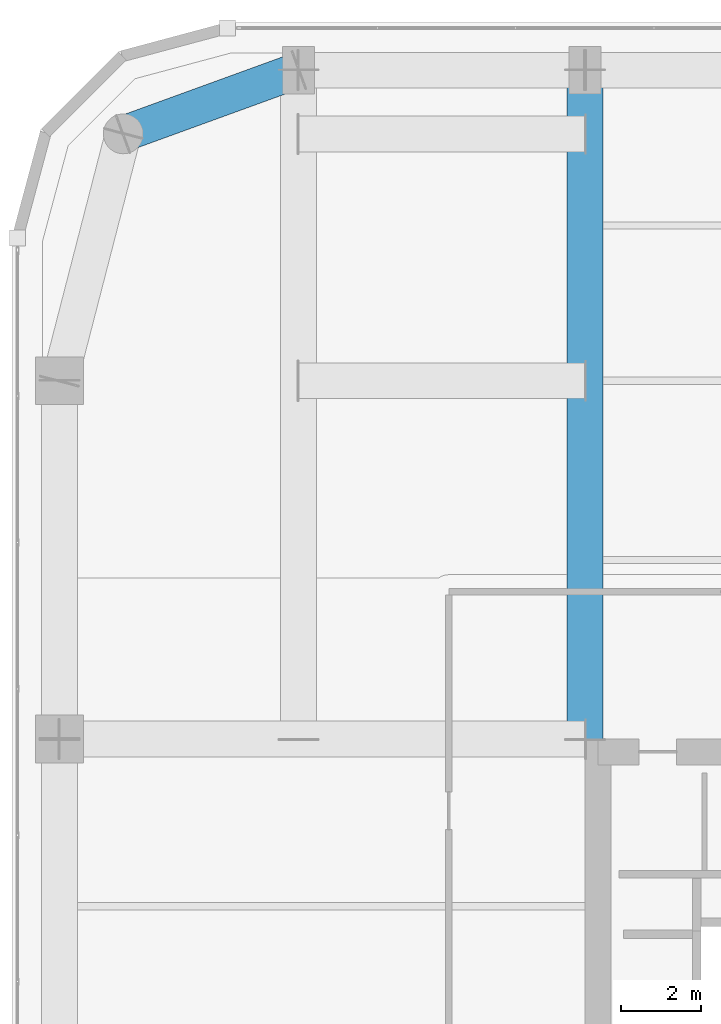
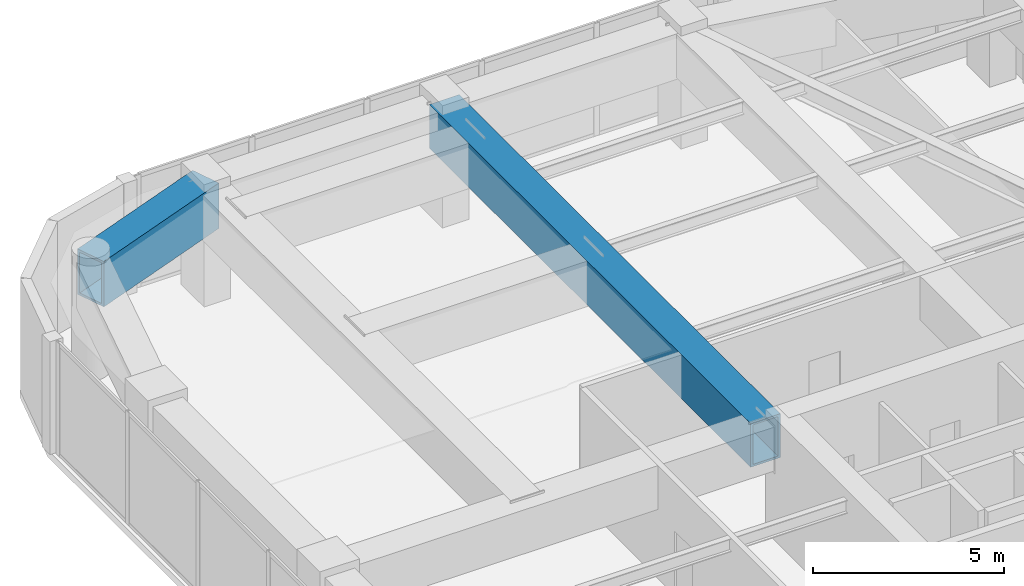
# One storey, part 16 of 30: 2 beams.
"""IFC4 building model written with IfcOpenShell, lengths in metres."""

from ifc_helpers import new_model, si_unit, direction, frame, origin, origin_2d, place, context, subcontext, project, spatial, hollow_rectangle, extrude, material, material_profile, profile_set, type_object, element, save


model = new_model("IFC4")

# Units and contexts
model_context = context("Model", 3, precision=1e-05, world=origin(), true_north=direction((0.0, 1.0)))
body_context = subcontext(model_context, "Body", "Model", "MODEL_VIEW")
ifc_project = project(units=[si_unit("LENGTHUNIT", "METRE"), si_unit("AREAUNIT", "SQUARE_METRE"), si_unit("VOLUMEUNIT", "CUBIC_METRE"), si_unit("PLANEANGLEUNIT", "RADIAN"), si_unit("MASSUNIT", "GRAM", prefix="KILO")], contexts=[model_context])

# Site, building, storey
site_placement = place(None, origin())
site = spatial("IfcSite", under=ifc_project, at=site_placement, CompositionType="ELEMENT")
building_placement = place(site_placement, origin())
building = spatial("IfcBuilding", under=site, at=building_placement, Name="Kiyonajd Concourse Tower", CompositionType="ELEMENT")
storey_placement = place(building_placement, frame((0.0, 0.0, 205.800048828125)))
storey = spatial("IfcBuildingStorey", under=building, at=storey_placement, Name="L52", CompositionType="ELEMENT", Elevation=205.800048828125)

# Beams
ifc_material = material(Name="Steel ASTM A572 Grade 50", Category="steel")
ifc_material_profile_1 = material_profile(ifc_material, hollow_rectangle(XDim=0.89990234375, YDim=1.39990234375, WallThickness=0.070068359375, at=origin_2d()), Name="BOX-1400x900x70")
ifc_profile_set_1 = profile_set([ifc_material_profile_1], Name="Steel ASTM A572 Grade 50")
beam_type_1 = type_object("IfcBeamType", Name="BM-XFER-1400", PredefinedType="BEAM", material=ifc_profile_set_1)
beam_1_placement = place(storey_placement, frame((32.39990234375, 44.39990234375, 2.89990234375), z_axis=(0.0, 1.0, 0.0), x_axis=(-1.0, 0.0, 0.0)))
element("IfcBeam", 1, at=beam_1_placement, inside=storey, type_object=beam_type_1, Name="L52 North Lease Girder", PredefinedType="BEAM", context=body_context, shape_type="SweptSolid", body=[
    extrude(hollow_rectangle(XDim=0.89990234375, YDim=1.39990234375, WallThickness=0.070068359375, at=origin_2d()), origin(), (0.0, 0.0, 1.0), 16.800048828125),
])
ifc_material_profile_2 = material_profile(ifc_material, hollow_rectangle(XDim=0.89990234375, YDim=1.449951171875, WallThickness=0.074951171875, at=origin_2d()), Name="BOX-1450x900x75")
ifc_profile_set_2 = profile_set([ifc_material_profile_2], Name="Steel ASTM A572 Grade 50")
beam_type_2 = type_object("IfcBeamType", Name="BM-XFER-1800", PredefinedType="BEAM", material=ifc_profile_set_2)
beam_2_placement = place(storey_placement, frame((25.199951171875, 61.199951171875, 2.93505859375), z_axis=(-0.939801036019, -0.341722127901, 0.0), x_axis=(0.341722127901, -0.939801036019, 0.0)))
element("IfcBeam", 2, at=beam_2_placement, inside=storey, type_object=beam_type_2, Name="L52 Perimeter Bundled Tube Spandrel", PredefinedType="BEAM", context=body_context, shape_type="SweptSolid", body=[
    extrude(hollow_rectangle(XDim=0.89990234375, YDim=1.449951171875, WallThickness=0.074951171875, at=origin_2d()), origin(), (0.0, 0.0, 1.0), 4.681640625),
])

save(model, "model.ifc")
